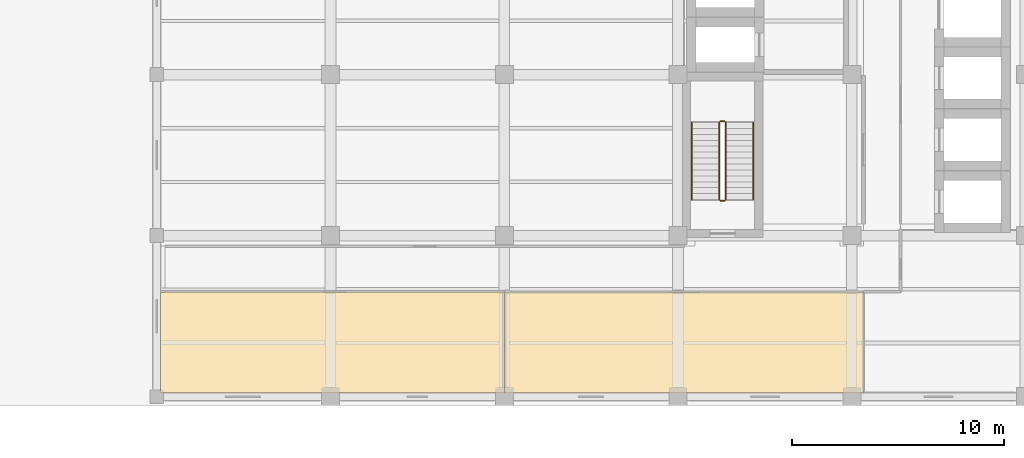
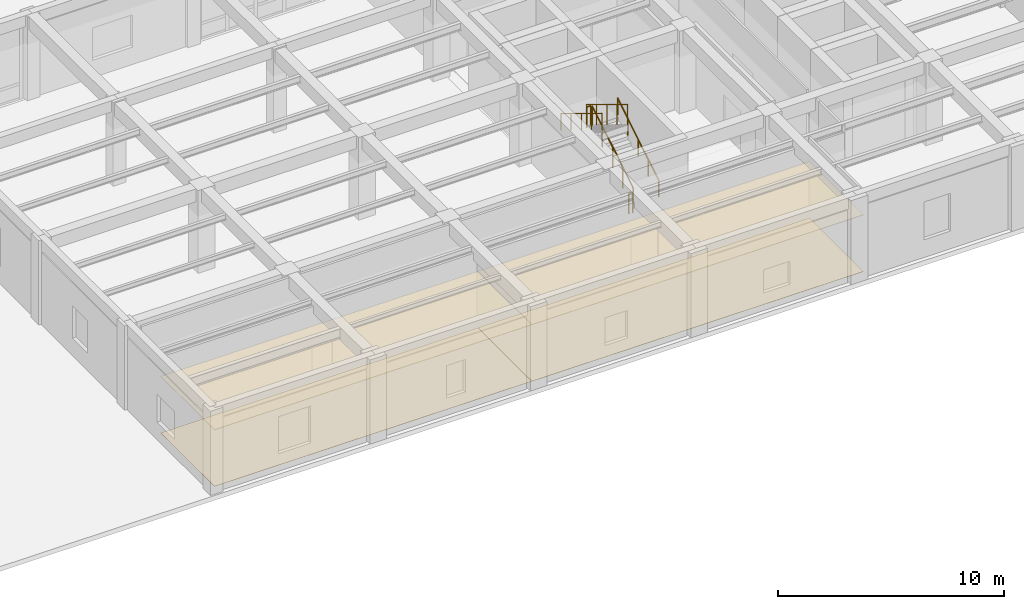
# One storey, part 20 of 23: 6 railings, 4 coverings.
"""IFC4 building model written with IfcOpenShell, lengths in metres."""

import ifcopenshell
import ifcopenshell.guid

model = None  # the IFC model being written
_history = None  # IfcOwnerHistory: only IFC2X3 demands one
_inside = {}  # id of a spatial element -> (the spatial element, [elements in it])
_under = {}  # id of a project, library or spatial element -> (it, [spatial elements below it])
_declared = {}  # id of a project -> (the project, [libraries it declares])
_typed = {}  # id of a type object -> (the type object, [elements of that type])
_made_of = {}  # id of a material, layer set ... -> (it, [elements and type objects made of it])


def new_model(schema):
    """Start an empty IFC model of exactly this schema.

    Asked for "IFC4X3", IfcOpenShell would pick the latest addendum, in which some entities
    have other attributes; the version numbers below select the first issue.
    IFC2X3 requires an IfcOwnerHistory on every rooted entity: one is made here for all.
    """
    global model, _history
    if schema == "IFC4X3":
        model = ifcopenshell.file(schema_version=(4, 3, 0, 0))
    else:
        model = ifcopenshell.file(schema=schema)
    _inside.clear()
    _under.clear()
    _declared.clear()
    _typed.clear()
    _made_of.clear()
    _history = None
    if model.schema == "IFC2X3":
        org = make("IfcOrganization", Name="unknown")
        user = make(
            "IfcPersonAndOrganization",
            ThePerson=make("IfcPerson", FamilyName="unknown"),
            TheOrganization=org,
        )
        app = make(
            "IfcApplication",
            ApplicationDeveloper=org,
            Version="unknown",
            ApplicationFullName="unknown",
            ApplicationIdentifier="unknown",
        )
        _history = make(
            "IfcOwnerHistory",
            OwningUser=user,
            OwningApplication=app,
            ChangeAction="ADDED",
            CreationDate=0,
        )
    return model


def make(cls, **values):
    """One entity of the class cls with the attributes given. An attribute that is None is left unset."""
    return model.create_entity(
        cls, **{name: value for name, value in values.items() if value is not None}
    )


def rooted(cls, **values):
    """An entity with a GlobalId (a new one), such as an element, a storey or a relation."""
    return make(cls, GlobalId=ifcopenshell.guid.new(), OwnerHistory=_history, **values)


def si_unit(unit_type, name, prefix=None):
    """IfcSIUnit, for example si_unit("LENGTHUNIT", "METRE", prefix="MILLI")."""
    return make("IfcSIUnit", UnitType=unit_type, Prefix=prefix, Name=name)


def assignment(units):
    """IfcUnitAssignment: the units of a project."""
    return None if units is None else make("IfcUnitAssignment", Units=units)


def point(xyz):
    """IfcCartesianPoint."""
    return None if xyz is None else make("IfcCartesianPoint", Coordinates=xyz)


def direction(xyz):
    """IfcDirection."""
    return None if xyz is None else make("IfcDirection", DirectionRatios=xyz)


def frame(location, z_axis=None, x_axis=None):
    """IfcAxis2Placement3D, a coordinate frame: its origin and axes. An axis left out is left unset."""
    return make(
        "IfcAxis2Placement3D",
        Location=point(location),
        Axis=direction(z_axis),
        RefDirection=direction(x_axis),
    )


def frame_2d(location, x_axis=None):
    """IfcAxis2Placement2D, a coordinate frame in the plane: its origin and x axis."""
    return make(
        "IfcAxis2Placement2D", Location=point(location), RefDirection=direction(x_axis)
    )


def origin():
    """The frame at (0, 0, 0) with its axes left unset."""
    return frame((0.0, 0.0, 0.0))


def origin_2d():
    """The frame at (0, 0) in the plane with its x axis left unset."""
    return frame_2d((0.0, 0.0))


def place(relative_to, where):
    """IfcLocalPlacement: puts the frame where relative to a parent placement (None: the world)."""
    return make(
        "IfcLocalPlacement", PlacementRelTo=relative_to, RelativePlacement=where
    )


def context(
    kind, dimensions, precision=None, world=None, true_north=None, identifier=None
):
    """IfcGeometricRepresentationContext, for example the 3D "Model" context."""
    return make(
        "IfcGeometricRepresentationContext",
        ContextIdentifier=identifier,
        ContextType=kind,
        CoordinateSpaceDimension=dimensions,
        Precision=precision,
        WorldCoordinateSystem=world,
        TrueNorth=true_north,
    )


def subcontext(parent, identifier, kind, view, scale=None):
    """IfcGeometricRepresentationSubContext, for example "Body" below "Model"."""
    return make(
        "IfcGeometricRepresentationSubContext",
        ContextIdentifier=identifier,
        ContextType=kind,
        ParentContext=parent,
        TargetScale=scale,
        TargetView=view,
    )


def project(units=None, contexts=None):
    """IfcProject with its units and contexts."""
    return rooted(
        "IfcProject",
        Name="project",
        RepresentationContexts=contexts,
        UnitsInContext=assignment(units),
    )


def spatial(cls, under=None, at=None, **own):
    """A site, building, storey or space (cls), placed at a placement, below another one or the project."""
    s = rooted(cls, ObjectPlacement=at, **own)
    if under is not None:
        _under.setdefault(under.id(), (under, []))[1].append(s)
    return s


def polyline(points):
    """IfcPolyline through the points."""
    return make("IfcPolyline", Points=[point(p) for p in points])


def profile(cls, at=None, kind="AREA", **sizes):
    """A parametric profile (cls). Its sizes go by their IFC names, for example OverallWidth=200.0."""
    return make(cls, ProfileType=kind, Position=at, **sizes)


def circle(**sizes):
    """IfcCircleProfileDef."""
    return profile("IfcCircleProfileDef", **sizes)


def outline(outer, holes=None, kind="AREA"):
    """IfcArbitraryClosedProfileDef: a profile drawn as a closed curve; with holes, ...WithVoids."""
    if holes is None:
        return make("IfcArbitraryClosedProfileDef", ProfileType=kind, OuterCurve=outer)
    return make(
        "IfcArbitraryProfileDefWithVoids",
        ProfileType=kind,
        OuterCurve=outer,
        InnerCurves=holes,
    )


def extrude(swept, where, along, depth):
    """IfcExtrudedAreaSolid: the profile swept, set in the frame where, extruded along a direction by depth."""
    return make(
        "IfcExtrudedAreaSolid",
        SweptArea=swept,
        Position=where,
        ExtrudedDirection=direction(along),
        Depth=depth,
    )


def shape(context_of_items, identifier, shape_type, items):
    """IfcShapeRepresentation: the items that make up one representation, for example the "Body"."""
    return make(
        "IfcShapeRepresentation",
        ContextOfItems=context_of_items,
        RepresentationIdentifier=identifier,
        RepresentationType=shape_type,
        Items=items,
    )


def material(Name=None, Category=None):
    """IfcMaterial."""
    return make("IfcMaterial", Name=Name, Category=Category)


def layer(
    of_material, thickness, ventilated=None, Name=None, Category=None, Priority=None
):
    """IfcMaterialLayer: one layer of a wall or slab, of a material (None: an air gap)."""
    return make(
        "IfcMaterialLayer",
        Material=of_material,
        LayerThickness=thickness,
        IsVentilated=ventilated,
        Name=Name,
        Category=Category,
        Priority=Priority,
    )


def layer_set(layers, Name=None):
    """IfcMaterialLayerSet."""
    return make("IfcMaterialLayerSet", MaterialLayers=layers, LayerSetName=Name)


def made_of(thing, what):
    """Note that an element or type object is made of a material, layer set ...; save() writes the relation."""
    if what is not None:
        _made_of.setdefault(what.id(), (what, []))[1].append(thing)
    return thing


def type_object(cls, material=None, **own):
    """A type object (cls), such as IfcWallType, which elements share."""
    return made_of(rooted(cls, **own), material)


def element(
    cls,
    number,
    at=None,
    inside=None,
    cuts=None,
    type_object=None,
    material=None,
    context=None,
    identifier="Body",
    shape_type=None,
    held_by="IfcProductDefinitionShape",
    body=None,
    shapes=None,
    **own,
):
    """One element of the class cls, such as IfcWall. Its Tag is "e" and its number.

    at: its placement. inside: the storey or other place that contains it. cuts: it is an
    opening in that element (IfcRelVoidsElement). A single representation is given by context,
    identifier, shape_type and body (its items); several are given by shapes. held_by: the class
    of the entity that holds the representations. save() writes the other relations.
    """
    e = rooted(cls, Tag="e%d" % number, ObjectPlacement=at, **own)
    if body is not None:
        shapes = [shape(context, identifier, shape_type, body)]
    if shapes is not None:
        e.Representation = make(held_by, Representations=shapes)
    if inside is not None:
        _inside.setdefault(inside.id(), (inside, []))[1].append(e)
    if cuts is not None:
        rooted(
            "IfcRelVoidsElement", RelatingBuildingElement=cuts, RelatedOpeningElement=e
        )
    if type_object is not None:
        _typed.setdefault(type_object.id(), (type_object, []))[1].append(e)
    return made_of(e, material)


def aggregate(whole, parts):
    """IfcRelAggregates: a whole, such as a stair, and the parts it consists of."""
    return rooted("IfcRelAggregates", RelatingObject=whole, RelatedObjects=parts)


def save(model, path):
    """Write the relations noted so far, then the file.

    IfcRelAggregates (storeys below a building ...), IfcRelContainedInSpatialStructure (elements
    in a storey), IfcRelDefinesByType, IfcRelAssociatesMaterial and IfcRelDeclares: one each for
    every whole, place, type object, material and project.
    """
    for whole, parts in _under.values():
        aggregate(whole, parts)
    for where, things in _inside.values():
        rooted(
            "IfcRelContainedInSpatialStructure",
            RelatedElements=things,
            RelatingStructure=where,
        )
    for kind, things in _typed.values():
        rooted("IfcRelDefinesByType", RelatedObjects=things, RelatingType=kind)
    for what, things in _made_of.values():
        rooted("IfcRelAssociatesMaterial", RelatedObjects=things, RelatingMaterial=what)
    for by, libraries in _declared.values():
        rooted("IfcRelDeclares", RelatingContext=by, RelatedDefinitions=libraries)
    model.write(path)


model = new_model("IFC4")

# Units and contexts
model_context = context("Model", 3, precision=1e-05, world=origin(), true_north=direction((0.0, 1.0)))
body_context = subcontext(model_context, "Body", "Model", "MODEL_VIEW")
ifc_project = project(units=[si_unit("LENGTHUNIT", "METRE"), si_unit("AREAUNIT", "SQUARE_METRE"), si_unit("VOLUMEUNIT", "CUBIC_METRE"), si_unit("PLANEANGLEUNIT", "RADIAN"), si_unit("MASSUNIT", "GRAM", prefix="KILO")], contexts=[model_context])

# Site, building, storey
site_placement = place(None, origin())
site = spatial("IfcSite", under=ifc_project, at=site_placement, CompositionType="ELEMENT")
building_placement = place(site_placement, origin())
building = spatial("IfcBuilding", under=site, at=building_placement, Name="Qandaris Square Conservatory and Botanical Centre", CompositionType="ELEMENT")
storey_placement = place(building_placement, frame((0.0, 0.0, 15.0)))
storey = spatial("IfcBuildingStorey", under=building, at=storey_placement, Name="L03", CompositionType="ELEMENT", Elevation=15.0)

# Coverings
ifc_material_1 = material(Name="Gypsum Plasterboard", Category="gypsum")
ifc_layer_1 = layer(ifc_material_1, 0.02490234375)
ifc_layer_set_1 = layer_set([ifc_layer_1], Name="Gypsum Plasterboard")
covering_type_1 = type_object("IfcCoveringType", Name="Perforated Acoustic Lab Ceiling Tile", PredefinedType="CEILING", material=ifc_layer_set_1)
covering_1_placement = place(storey_placement, frame((0.0, 0.0, 3.050048828125)))
element("IfcCovering", 1, at=covering_1_placement, inside=storey, type_object=covering_type_1, Name="Molecular Phylogenetics Research Laboratory Ceiling", PredefinedType="CEILING", context=body_context, shape_type="SweptSolid", body=[
    extrude(outline(polyline([(115.0, 21.550048828125), (131.0, 21.550048828125), (131.0, 16.780029296875), (114.780029296875, 16.780029296875), (114.780029296875, 21.550048828125), (115.0, 21.550048828125)])), origin(), (0.0, 0.0, 1.0), 0.02490234375),
])
covering_2_placement = place(storey_placement, frame((0.0, 0.0, 3.050048828125)))
element("IfcCovering", 2, at=covering_2_placement, inside=storey, type_object=covering_type_1, Name="Genomic Sequencing Suite Ceiling", PredefinedType="CEILING", context=body_context, shape_type="SweptSolid", body=[
    extrude(outline(polyline([(147.949951171875, 21.550048828125), (147.949951171875, 16.780029296875), (131.0, 16.780029296875), (131.0, 21.550048828125), (147.949951171875, 21.550048828125)])), origin(), (0.0, 0.0, 1.0), 0.02490234375),
])
ifc_material_2 = material(Name="Epoxy Resin Screed", Category="finish")
ifc_layer_2 = layer(ifc_material_2, 0.014892578125)
ifc_layer_set_2 = layer_set([ifc_layer_2], Name="Epoxy Resin Screed")
covering_type_2 = type_object("IfcCoveringType", Name="Seamless Epoxy Laboratory Flooring", PredefinedType="FLOORING", material=ifc_layer_set_2)
covering_3_placement = place(storey_placement, origin())
element("IfcCovering", 3, at=covering_3_placement, inside=storey, type_object=covering_type_2, Name="Molecular Phylogenetics Research Laboratory Flooring", PredefinedType="FLOORING", context=body_context, shape_type="SweptSolid", body=[
    extrude(outline(polyline([(115.0, 21.550048828125), (131.0, 21.550048828125), (131.0, 16.780029296875), (114.780029296875, 16.780029296875), (114.780029296875, 21.550048828125), (115.0, 21.550048828125)])), origin(), (0.0, 0.0, 1.0), 0.014892578125),
])
covering_4_placement = place(storey_placement, origin())
element("IfcCovering", 4, at=covering_4_placement, inside=storey, type_object=covering_type_2, Name="Genomic Sequencing Suite Flooring", PredefinedType="FLOORING", context=body_context, shape_type="SweptSolid", body=[
    extrude(outline(polyline([(147.949951171875, 21.550048828125), (147.949951171875, 16.780029296875), (131.0, 16.780029296875), (131.0, 21.550048828125), (147.949951171875, 21.550048828125)])), origin(), (0.0, 0.0, 1.0), 0.014892578125),
])

# Railings
ifc_material_3 = material(Name="Stainless Steel", Category="steel")
railing_type_1 = type_object("IfcRailingType", Name="Stair Tubular Handrail 920mm", PredefinedType="HANDRAIL", material=ifc_material_3)
railing_1_placement = place(storey_placement, frame((142.75, 25.89990234375, 0.3427734375)))
element("IfcRailing", 5, at=railing_1_placement, inside=storey, type_object=railing_type_1, Name="L03 ST-1 stair handrail 1", PredefinedType="HANDRAIL", context=body_context, shape_type="SweptSolid", body=[
    extrude(circle(Radius=0.02392578125, at=origin_2d()), frame((0.0, 0.0, 0.89599609375), z_axis=(0.0, 0.852840387347, 0.522171689878), x_axis=(-1.0, 0.0, 0.0)), (0.0, 0.0, 1.0), 4.268310546875),
    extrude(circle(Radius=0.02099609375, at=origin_2d()), origin(), (0.0, 0.0, 1.0), 0.871826171875),
    extrude(circle(Radius=0.02099609375, at=origin_2d()), frame((0.0, 0.91015625, 0.55712890625)), (0.0, 0.0, 1.0), 0.871826171875),
    extrude(circle(Radius=0.02099609375, at=origin_2d()), frame((0.0, 1.820068359375, 1.1142578125)), (0.0, 0.0, 1.0), 0.871826171875),
    extrude(circle(Radius=0.02099609375, at=origin_2d()), frame((0.0, 2.72998046875, 1.671630859375)), (0.0, 0.0, 1.0), 0.871826171875),
    extrude(circle(Radius=0.02099609375, at=origin_2d()), frame((0.0, 3.64013671875, 2.228759765625)), (0.0, 0.0, 1.0), 0.871826171875),
])
railing_2_placement = place(storey_placement, frame((139.85009765625, 29.5400390625, 2.742919921875)))
element("IfcRailing", 6, at=railing_2_placement, inside=storey, type_object=railing_type_1, Name="L03 ST-1 stair handrail 2", PredefinedType="HANDRAIL", context=body_context, shape_type="SweptSolid", body=[
    extrude(circle(Radius=0.02392578125, at=origin_2d()), frame((0.0, 0.0, 0.89599609375), z_axis=(0.0, -0.852865859571, 0.52213008492), x_axis=(1.0, 0.0, 0.0)), (0.0, 0.0, 1.0), 4.26806640625),
    extrude(circle(Radius=0.02099609375, at=origin_2d()), origin(), (0.0, 0.0, 1.0), 0.871826171875),
    extrude(circle(Radius=0.02099609375, at=origin_2d()), frame((0.0, -0.91015625, 0.55712890625)), (0.0, 0.0, 1.0), 0.871826171875),
    extrude(circle(Radius=0.02099609375, at=origin_2d()), frame((0.0, -1.820068359375, 1.1142578125)), (0.0, 0.0, 1.0), 0.871826171875),
    extrude(circle(Radius=0.02099609375, at=origin_2d()), frame((0.0, -2.72998046875, 1.67138671875)), (0.0, 0.0, 1.0), 0.871826171875),
    extrude(circle(Radius=0.02099609375, at=origin_2d()), frame((0.0, -3.64013671875, 2.228515625)), (0.0, 0.0, 1.0), 0.871826171875),
])
railing_type_2 = type_object("IfcRailingType", Name="Stairwell & Atrium Guardrail 1120mm", PredefinedType="GUARDRAIL", material=ifc_material_3)
railing_3_placement = place(storey_placement, frame((141.449951171875, 25.89990234375, 0.17138671875)))
element("IfcRailing", 7, at=railing_3_placement, inside=storey, type_object=railing_type_2, Name="L03 ST-1 stair guard 1", PredefinedType="GUARDRAIL", context=body_context, shape_type="SweptSolid", body=[
    extrude(circle(Radius=0.02392578125, at=origin_2d()), frame((0.0, 0.0, 1.09619140625), z_axis=(0.0, 0.852865859571, 0.52213008492), x_axis=(-1.0, 0.0, 0.0)), (0.0, 0.0, 1.0), 4.26806640625),
    extrude(circle(Radius=0.02099609375, at=origin_2d()), origin(), (0.0, 0.0, 1.0), 1.072021484375),
    extrude(circle(Radius=0.02099609375, at=origin_2d()), frame((0.0, 0.91015625, 0.55712890625)), (0.0, 0.0, 1.0), 1.072021484375),
    extrude(circle(Radius=0.02099609375, at=origin_2d()), frame((0.0, 1.820068359375, 1.1142578125)), (0.0, 0.0, 1.0), 1.072021484375),
    extrude(circle(Radius=0.02099609375, at=origin_2d()), frame((0.0, 2.72998046875, 1.67138671875)), (0.0, 0.0, 1.0), 1.072021484375),
    extrude(circle(Radius=0.02099609375, at=origin_2d()), frame((0.0, 3.64013671875, 2.228515625)), (0.0, 0.0, 1.0), 1.072021484375),
])
railing_4_placement = place(storey_placement, frame((141.39990234375, 29.590087890625, 2.39990234375)))
element("IfcRailing", 8, at=railing_4_placement, inside=storey, type_object=railing_type_2, Name="L03 ST-1 stair guard 2", PredefinedType="GUARDRAIL", context=body_context, shape_type="SweptSolid", body=[
    extrude(circle(Radius=0.02392578125, at=origin_2d()), frame((0.0, 0.0, 1.09619140625), z_axis=(-1.0, 0.0, 0.0), x_axis=(0.0, -1.0, 0.0)), (0.0, 0.0, 1.0), 0.199951171875),
    extrude(circle(Radius=0.02099609375, at=origin_2d()), origin(), (0.0, 0.0, 1.0), 1.072021484375),
    extrude(circle(Radius=0.02099609375, at=origin_2d()), frame((-0.199951171875, 0.0, 0.0)), (0.0, 0.0, 1.0), 1.072021484375),
])
railing_5_placement = place(storey_placement, frame((141.14990234375, 29.5400390625, 2.571533203125)))
element("IfcRailing", 9, at=railing_5_placement, inside=storey, type_object=railing_type_2, Name="L03 ST-1 stair guard 3", PredefinedType="GUARDRAIL", context=body_context, shape_type="SweptSolid", body=[
    extrude(circle(Radius=0.02392578125, at=origin_2d()), frame((0.0, 0.0, 1.09619140625), z_axis=(0.0, -0.852865859571, 0.52213008492), x_axis=(1.0, 0.0, 0.0)), (0.0, 0.0, 1.0), 4.26806640625),
    extrude(circle(Radius=0.02099609375, at=origin_2d()), origin(), (0.0, 0.0, 1.0), 1.072021484375),
    extrude(circle(Radius=0.02099609375, at=origin_2d()), frame((0.0, -0.91015625, 0.55712890625)), (0.0, 0.0, 1.0), 1.072021484375),
    extrude(circle(Radius=0.02099609375, at=origin_2d()), frame((0.0, -1.820068359375, 1.1142578125)), (0.0, 0.0, 1.0), 1.072021484375),
    extrude(circle(Radius=0.02099609375, at=origin_2d()), frame((0.0, -2.72998046875, 1.67138671875)), (0.0, 0.0, 1.0), 1.072021484375),
    extrude(circle(Radius=0.02099609375, at=origin_2d()), frame((0.0, -3.64013671875, 2.228515625)), (0.0, 0.0, 1.0), 1.072021484375),
])
railing_6_placement = place(storey_placement, frame((141.39990234375, 25.85009765625, 0.0)))
element("IfcRailing", 10, at=railing_6_placement, inside=storey, type_object=railing_type_2, Name="L03 ST-1 stair guard 4", PredefinedType="GUARDRAIL", context=body_context, shape_type="SweptSolid", body=[
    extrude(circle(Radius=0.02392578125, at=origin_2d()), frame((0.0, 0.0, 1.09619140625), z_axis=(-1.0, 0.0, 0.0), x_axis=(0.0, -1.0, 0.0)), (0.0, 0.0, 1.0), 0.199951171875),
    extrude(circle(Radius=0.02099609375, at=origin_2d()), origin(), (0.0, 0.0, 1.0), 1.072021484375),
    extrude(circle(Radius=0.02099609375, at=origin_2d()), frame((-0.199951171875, 0.0, 0.0)), (0.0, 0.0, 1.0), 1.072021484375),
])

save(model, "model.ifc")
